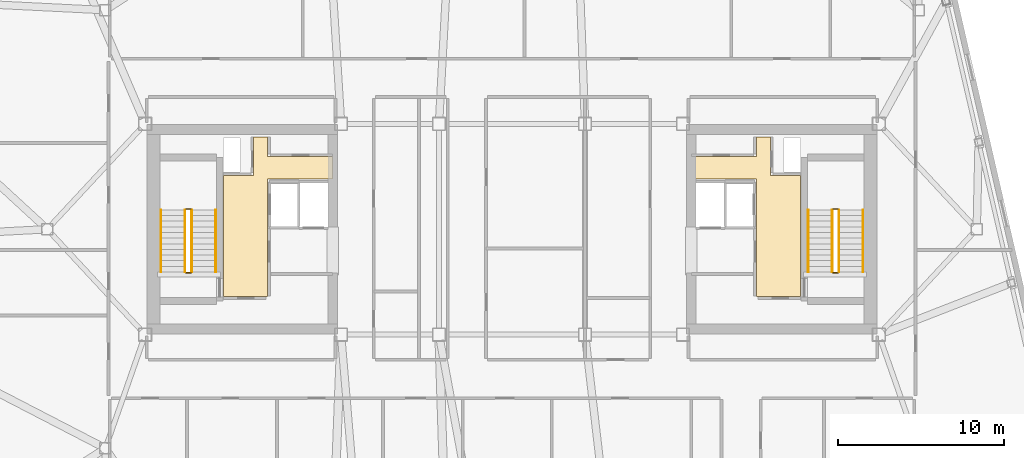
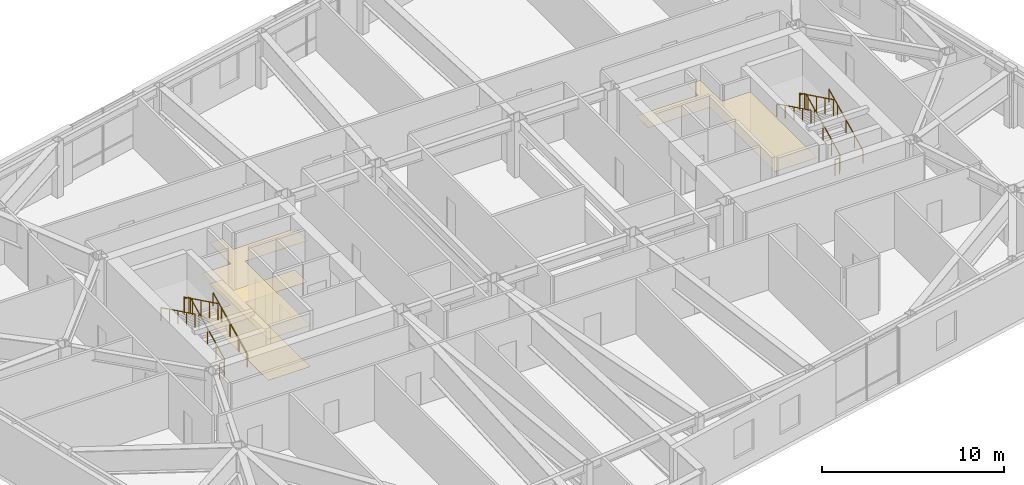
# One storey, part 21 of 21: 12 railings, 3 coverings.
"""IFC4 building model written with IfcOpenShell, lengths in metres."""

from ifc_helpers import new_model, si_unit, direction, frame, origin, origin_2d, place, context, subcontext, project, spatial, polyline, rectangle, outline, extrude, material, layer, layer_set, type_object, element, save


model = new_model("IFC4")

# Units and contexts
model_context = context("Model", 3, precision=1e-05, world=origin(), true_north=direction((0.0, 1.0)))
body_context = subcontext(model_context, "Body", "Model", "MODEL_VIEW")
ifc_project = project(units=[si_unit("LENGTHUNIT", "METRE"), si_unit("AREAUNIT", "SQUARE_METRE"), si_unit("VOLUMEUNIT", "CUBIC_METRE"), si_unit("PLANEANGLEUNIT", "RADIAN"), si_unit("MASSUNIT", "GRAM", prefix="KILO")], contexts=[model_context])

# Site, building, storey
site_placement = place(None, origin())
site = spatial("IfcSite", under=ifc_project, at=site_placement, CompositionType="ELEMENT")
building_placement = place(site_placement, origin())
building = spatial("IfcBuilding", under=site, at=building_placement, Name="Tavrogorsk Clinical Tower", CompositionType="ELEMENT")
storey_placement = place(building_placement, frame((0.0, 0.0, 281.0)))
storey = spatial("IfcBuildingStorey", under=building, at=storey_placement, Name="L65", CompositionType="ELEMENT", Elevation=281.0)

# Coverings
ifc_material_1 = material(Name="Antibacterial micro-perforated aluminium ceiling", Category="aluminium")
ifc_layer_1 = layer(ifc_material_1, 0.014892578125)
ifc_layer_set_1 = layer_set([ifc_layer_1], Name="Antibacterial micro-perforated aluminium ceiling")
covering_type_1 = type_object("IfcCoveringType", Name="ClinicalCeiling_15", PredefinedType="CEILING", material=ifc_layer_set_1)
covering_1_placement = place(storey_placement, frame((0.0, 0.0, 2.75)))
element("IfcCovering", 1, at=covering_1_placement, inside=storey, type_object=covering_type_1, Name="Core West Firefighting Lift Lobby Acoustic Ceiling", PredefinedType="CEILING", context=body_context, shape_type="SweptSolid", body=[
    extrude(outline(polyline([(-14.719970703125, 4.3798828125), (-10.800048828125, 4.3798828125), (-10.800048828125, 3.0400390625), (-14.719970703125, 3.0400390625), (-14.719970703125, -4.06005859375), (-17.3798828125, -4.06005859375), (-17.3798828125, 3.239990234375), (-15.56005859375, 3.239990234375), (-15.56005859375, 5.56005859375), (-14.719970703125, 5.56005859375), (-14.719970703125, 4.3798828125)])), origin(), (0.0, 0.0, 1.0), 0.014892578125),
])
covering_2_placement = place(storey_placement, frame((0.0, 0.0, 2.75)))
element("IfcCovering", 2, at=covering_2_placement, inside=storey, type_object=covering_type_1, Name="Core East Firefighting Lift Lobby Acoustic Ceiling", PredefinedType="CEILING", context=body_context, shape_type="SweptSolid", body=[
    extrude(outline(polyline([(14.719970703125, -4.06005859375), (14.719970703125, 3.0400390625), (10.800048828125, 3.0400390625), (10.800048828125, 4.3798828125), (14.719970703125, 4.3798828125), (14.719970703125, 5.56005859375), (15.56005859375, 5.56005859375), (15.56005859375, 3.239990234375), (17.3798828125, 3.239990234375), (17.3798828125, -4.06005859375), (14.719970703125, -4.06005859375)])), origin(), (0.0, 0.0, 1.0), 0.014892578125),
])
ifc_material_2 = material(Name="Homogeneous medical conductive PVC flooring")
ifc_layer_2 = layer(ifc_material_2, 0.008056640625)
ifc_layer_set_2 = layer_set([ifc_layer_2], Name="Homogeneous medical conductive PVC flooring")
covering_type_2 = type_object("IfcCoveringType", Name="ResilientVinylFloor_8", PredefinedType="FLOORING", material=ifc_layer_set_2)
covering_3_placement = place(storey_placement, origin())
element("IfcCovering", 3, at=covering_3_placement, inside=storey, type_object=covering_type_2, Name="Core West Firefighting Lift Lobby Conductive Vinyl Flooring", PredefinedType="FLOORING", context=body_context, shape_type="SweptSolid", body=[
    extrude(outline(polyline([(-14.719970703125, 4.3798828125), (-10.800048828125, 4.3798828125), (-10.800048828125, 3.0400390625), (-14.719970703125, 3.0400390625), (-14.719970703125, -4.06005859375), (-17.3798828125, -4.06005859375), (-17.3798828125, 3.239990234375), (-15.56005859375, 3.239990234375), (-15.56005859375, 5.56005859375), (-14.719970703125, 5.56005859375), (-14.719970703125, 4.3798828125)])), origin(), (0.0, 0.0, 1.0), 0.008056640625),
])

# Railings
ifc_material_3 = material(Name="Galvanised steel S355 safety stairwell guard", Category="steel")
ifc_layer_3 = layer(ifc_material_3, 0.06005859375)
ifc_layer_set_3 = layer_set([ifc_layer_3], Name="Galvanised steel S355 safety stairwell guard")
railing_type_1 = type_object("IfcRailingType", Name="StairGuard_1150", PredefinedType="GUARDRAIL", material=ifc_layer_set_3)
railing_1_placement = place(storey_placement, frame((-19.300048828125, -2.574951171875, 0.166748046875)))
element("IfcRailing", 4, at=railing_1_placement, inside=storey, type_object=railing_type_1, Name="L65 ST-W stair guard 1", PredefinedType="GUARDRAIL", context=body_context, shape_type="SweptSolid", body=[
    extrude(rectangle(XDim=0.048095703125, YDim=0.048095703125, at=origin_2d()), frame((0.0, 0.0, 1.076171875), z_axis=(0.0, 0.897927990467, 0.440142390523), x_axis=(-1.0, 0.0, 0.0)), (0.0, 0.0, 1.0), 4.1650390625),
    extrude(rectangle(XDim=0.0419921875, YDim=0.0419921875, at=origin_2d()), origin(), (0.0, 0.0, 1.0), 1.052001953125),
    extrude(rectangle(XDim=0.0419921875, YDim=0.0419921875, at=origin_2d()), frame((0.0, 0.93505859375, 0.458251953125)), (0.0, 0.0, 1.0), 1.052001953125),
    extrude(rectangle(XDim=0.0419921875, YDim=0.0419921875, at=origin_2d()), frame((0.0, 1.8701171875, 0.91650390625)), (0.0, 0.0, 1.0), 1.052001953125),
    extrude(rectangle(XDim=0.0419921875, YDim=0.0419921875, at=origin_2d()), frame((0.0, 2.804931640625, 1.375)), (0.0, 0.0, 1.0), 1.052001953125),
    extrude(rectangle(XDim=0.0419921875, YDim=0.0419921875, at=origin_2d()), frame((0.0, 3.739990234375, 1.833251953125)), (0.0, 0.0, 1.0), 1.052001953125),
])
railing_2_placement = place(storey_placement, frame((-19.35009765625, 1.215087890625, 2.0)))
element("IfcRailing", 5, at=railing_2_placement, inside=storey, type_object=railing_type_1, Name="L65 ST-W stair guard 2", PredefinedType="GUARDRAIL", context=body_context, shape_type="SweptSolid", body=[
    extrude(rectangle(XDim=0.048095703125, YDim=0.048095703125, at=origin_2d()), frame((0.0, 0.0, 1.076171875), z_axis=(-1.0, 0.0, 0.0), x_axis=(0.0, -1.0, 0.0)), (0.0, 0.0, 1.0), 0.2998046875),
    extrude(rectangle(XDim=0.0419921875, YDim=0.0419921875, at=origin_2d()), origin(), (0.0, 0.0, 1.0), 1.052001953125),
    extrude(rectangle(XDim=0.0419921875, YDim=0.0419921875, at=origin_2d()), frame((-0.2998046875, 0.0, 0.0)), (0.0, 0.0, 1.0), 1.052001953125),
])
railing_3_placement = place(storey_placement, frame((-19.699951171875, 1.1650390625, 2.166748046875)))
element("IfcRailing", 6, at=railing_3_placement, inside=storey, type_object=railing_type_1, Name="L65 ST-W stair guard 3", PredefinedType="GUARDRAIL", context=body_context, shape_type="SweptSolid", body=[
    extrude(rectangle(XDim=0.048095703125, YDim=0.048095703125, at=origin_2d()), frame((0.0, 0.0, 1.076171875), z_axis=(0.0, -0.897927990467, 0.440142390523), x_axis=(1.0, 0.0, 0.0)), (0.0, 0.0, 1.0), 4.1650390625),
    extrude(rectangle(XDim=0.0419921875, YDim=0.0419921875, at=origin_2d()), origin(), (0.0, 0.0, 1.0), 1.052001953125),
    extrude(rectangle(XDim=0.0419921875, YDim=0.0419921875, at=origin_2d()), frame((0.0, -0.93505859375, 0.458251953125)), (0.0, 0.0, 1.0), 1.052001953125),
    extrude(rectangle(XDim=0.0419921875, YDim=0.0419921875, at=origin_2d()), frame((0.0, -1.8701171875, 0.91650390625)), (0.0, 0.0, 1.0), 1.052001953125),
    extrude(rectangle(XDim=0.0419921875, YDim=0.0419921875, at=origin_2d()), frame((0.0, -2.804931640625, 1.375)), (0.0, 0.0, 1.0), 1.052001953125),
    extrude(rectangle(XDim=0.0419921875, YDim=0.0419921875, at=origin_2d()), frame((0.0, -3.739990234375, 1.833251953125)), (0.0, 0.0, 1.0), 1.052001953125),
])
railing_4_placement = place(storey_placement, frame((-19.35009765625, -2.625, 0.0)))
element("IfcRailing", 7, at=railing_4_placement, inside=storey, type_object=railing_type_1, Name="L65 ST-W stair guard 4", PredefinedType="GUARDRAIL", context=body_context, shape_type="SweptSolid", body=[
    extrude(rectangle(XDim=0.048095703125, YDim=0.048095703125, at=origin_2d()), frame((0.0, 0.0, 1.076171875), z_axis=(-1.0, 0.0, 0.0), x_axis=(0.0, -1.0, 0.0)), (0.0, 0.0, 1.0), 0.2998046875),
    extrude(rectangle(XDim=0.0419921875, YDim=0.0419921875, at=origin_2d()), origin(), (0.0, 0.0, 1.0), 1.052001953125),
    extrude(rectangle(XDim=0.0419921875, YDim=0.0419921875, at=origin_2d()), frame((-0.2998046875, 0.0, 0.0)), (0.0, 0.0, 1.0), 1.052001953125),
])
railing_5_placement = place(storey_placement, frame((19.699951171875, -2.574951171875, 0.166748046875)))
element("IfcRailing", 8, at=railing_5_placement, inside=storey, type_object=railing_type_1, Name="L65 ST-E stair guard 1", PredefinedType="GUARDRAIL", context=body_context, shape_type="SweptSolid", body=[
    extrude(rectangle(XDim=0.048095703125, YDim=0.048095703125, at=origin_2d()), frame((0.0, 0.0, 1.076171875), z_axis=(0.0, 0.897927990467, 0.440142390523), x_axis=(-1.0, 0.0, 0.0)), (0.0, 0.0, 1.0), 4.1650390625),
    extrude(rectangle(XDim=0.0419921875, YDim=0.0419921875, at=origin_2d()), origin(), (0.0, 0.0, 1.0), 1.052001953125),
    extrude(rectangle(XDim=0.0419921875, YDim=0.0419921875, at=origin_2d()), frame((0.0, 0.93505859375, 0.458251953125)), (0.0, 0.0, 1.0), 1.052001953125),
    extrude(rectangle(XDim=0.0419921875, YDim=0.0419921875, at=origin_2d()), frame((0.0, 1.8701171875, 0.91650390625)), (0.0, 0.0, 1.0), 1.052001953125),
    extrude(rectangle(XDim=0.0419921875, YDim=0.0419921875, at=origin_2d()), frame((0.0, 2.804931640625, 1.375)), (0.0, 0.0, 1.0), 1.052001953125),
    extrude(rectangle(XDim=0.0419921875, YDim=0.0419921875, at=origin_2d()), frame((0.0, 3.739990234375, 1.833251953125)), (0.0, 0.0, 1.0), 1.052001953125),
])
railing_6_placement = place(storey_placement, frame((19.64990234375, 1.215087890625, 2.0)))
element("IfcRailing", 9, at=railing_6_placement, inside=storey, type_object=railing_type_1, Name="L65 ST-E stair guard 2", PredefinedType="GUARDRAIL", context=body_context, shape_type="SweptSolid", body=[
    extrude(rectangle(XDim=0.048095703125, YDim=0.048095703125, at=origin_2d()), frame((0.0, 0.0, 1.076171875), z_axis=(-1.0, 0.0, 0.0), x_axis=(0.0, -1.0, 0.0)), (0.0, 0.0, 1.0), 0.2998046875),
    extrude(rectangle(XDim=0.0419921875, YDim=0.0419921875, at=origin_2d()), origin(), (0.0, 0.0, 1.0), 1.052001953125),
    extrude(rectangle(XDim=0.0419921875, YDim=0.0419921875, at=origin_2d()), frame((-0.2998046875, 0.0, 0.0)), (0.0, 0.0, 1.0), 1.052001953125),
])
railing_7_placement = place(storey_placement, frame((19.300048828125, 1.1650390625, 2.166748046875)))
element("IfcRailing", 10, at=railing_7_placement, inside=storey, type_object=railing_type_1, Name="L65 ST-E stair guard 3", PredefinedType="GUARDRAIL", context=body_context, shape_type="SweptSolid", body=[
    extrude(rectangle(XDim=0.048095703125, YDim=0.048095703125, at=origin_2d()), frame((0.0, 0.0, 1.076171875), z_axis=(0.0, -0.897927990467, 0.440142390523), x_axis=(1.0, 0.0, 0.0)), (0.0, 0.0, 1.0), 4.1650390625),
    extrude(rectangle(XDim=0.0419921875, YDim=0.0419921875, at=origin_2d()), origin(), (0.0, 0.0, 1.0), 1.052001953125),
    extrude(rectangle(XDim=0.0419921875, YDim=0.0419921875, at=origin_2d()), frame((0.0, -0.93505859375, 0.458251953125)), (0.0, 0.0, 1.0), 1.052001953125),
    extrude(rectangle(XDim=0.0419921875, YDim=0.0419921875, at=origin_2d()), frame((0.0, -1.8701171875, 0.91650390625)), (0.0, 0.0, 1.0), 1.052001953125),
    extrude(rectangle(XDim=0.0419921875, YDim=0.0419921875, at=origin_2d()), frame((0.0, -2.804931640625, 1.375)), (0.0, 0.0, 1.0), 1.052001953125),
    extrude(rectangle(XDim=0.0419921875, YDim=0.0419921875, at=origin_2d()), frame((0.0, -3.739990234375, 1.833251953125)), (0.0, 0.0, 1.0), 1.052001953125),
])
railing_8_placement = place(storey_placement, frame((19.64990234375, -2.625, 0.0)))
element("IfcRailing", 11, at=railing_8_placement, inside=storey, type_object=railing_type_1, Name="L65 ST-E stair guard 4", PredefinedType="GUARDRAIL", context=body_context, shape_type="SweptSolid", body=[
    extrude(rectangle(XDim=0.048095703125, YDim=0.048095703125, at=origin_2d()), frame((0.0, 0.0, 1.076171875), z_axis=(-1.0, 0.0, 0.0), x_axis=(0.0, -1.0, 0.0)), (0.0, 0.0, 1.0), 0.2998046875),
    extrude(rectangle(XDim=0.0419921875, YDim=0.0419921875, at=origin_2d()), origin(), (0.0, 0.0, 1.0), 1.052001953125),
    extrude(rectangle(XDim=0.0419921875, YDim=0.0419921875, at=origin_2d()), frame((-0.2998046875, 0.0, 0.0)), (0.0, 0.0, 1.0), 1.052001953125),
])
ifc_material_4 = material(Name="Stainless steel AISI 304 tubular handrail", Category="steel")
ifc_layer_4 = layer(ifc_material_4, 0.050048828125)
ifc_layer_set_4 = layer_set([ifc_layer_4], Name="Stainless steel AISI 304 tubular handrail")
railing_type_2 = type_object("IfcRailingType", Name="StairHandrail_920", PredefinedType="HANDRAIL", material=ifc_layer_set_4)
railing_9_placement = place(storey_placement, frame((-17.85009765625, -2.574951171875, 0.166748046875)))
element("IfcRailing", 12, at=railing_9_placement, inside=storey, type_object=railing_type_2, Name="L65 ST-W stair handrail 1", PredefinedType="HANDRAIL", context=body_context, shape_type="SweptSolid", body=[
    extrude(rectangle(XDim=0.048095703125, YDim=0.048095703125, at=origin_2d()), frame((0.0, 0.0, 0.8759765625), z_axis=(0.0, 0.897927990467, 0.440142390523), x_axis=(-1.0, 0.0, 0.0)), (0.0, 0.0, 1.0), 4.1650390625),
    extrude(rectangle(XDim=0.0419921875, YDim=0.0419921875, at=origin_2d()), origin(), (0.0, 0.0, 1.0), 0.851806640625),
    extrude(rectangle(XDim=0.0419921875, YDim=0.0419921875, at=origin_2d()), frame((0.0, 0.93505859375, 0.458251953125)), (0.0, 0.0, 1.0), 0.851806640625),
    extrude(rectangle(XDim=0.0419921875, YDim=0.0419921875, at=origin_2d()), frame((0.0, 1.8701171875, 0.91650390625)), (0.0, 0.0, 1.0), 0.851806640625),
    extrude(rectangle(XDim=0.0419921875, YDim=0.0419921875, at=origin_2d()), frame((0.0, 2.804931640625, 1.375)), (0.0, 0.0, 1.0), 0.851806640625),
    extrude(rectangle(XDim=0.0419921875, YDim=0.0419921875, at=origin_2d()), frame((0.0, 3.739990234375, 1.833251953125)), (0.0, 0.0, 1.0), 0.851806640625),
])
railing_10_placement = place(storey_placement, frame((-21.14990234375, 1.1650390625, 2.166748046875)))
element("IfcRailing", 13, at=railing_10_placement, inside=storey, type_object=railing_type_2, Name="L65 ST-W stair handrail 2", PredefinedType="HANDRAIL", context=body_context, shape_type="SweptSolid", body=[
    extrude(rectangle(XDim=0.048095703125, YDim=0.048095703125, at=origin_2d()), frame((0.0, 0.0, 0.8759765625), z_axis=(0.0, -0.897927990467, 0.440142390523), x_axis=(1.0, 0.0, 0.0)), (0.0, 0.0, 1.0), 4.1650390625),
    extrude(rectangle(XDim=0.0419921875, YDim=0.0419921875, at=origin_2d()), origin(), (0.0, 0.0, 1.0), 0.851806640625),
    extrude(rectangle(XDim=0.0419921875, YDim=0.0419921875, at=origin_2d()), frame((0.0, -0.93505859375, 0.458251953125)), (0.0, 0.0, 1.0), 0.851806640625),
    extrude(rectangle(XDim=0.0419921875, YDim=0.0419921875, at=origin_2d()), frame((0.0, -1.8701171875, 0.91650390625)), (0.0, 0.0, 1.0), 0.851806640625),
    extrude(rectangle(XDim=0.0419921875, YDim=0.0419921875, at=origin_2d()), frame((0.0, -2.804931640625, 1.375)), (0.0, 0.0, 1.0), 0.851806640625),
    extrude(rectangle(XDim=0.0419921875, YDim=0.0419921875, at=origin_2d()), frame((0.0, -3.739990234375, 1.833251953125)), (0.0, 0.0, 1.0), 0.851806640625),
])
railing_11_placement = place(storey_placement, frame((21.14990234375, -2.574951171875, 0.166748046875)))
element("IfcRailing", 14, at=railing_11_placement, inside=storey, type_object=railing_type_2, Name="L65 ST-E stair handrail 1", PredefinedType="HANDRAIL", context=body_context, shape_type="SweptSolid", body=[
    extrude(rectangle(XDim=0.048095703125, YDim=0.048095703125, at=origin_2d()), frame((0.0, 0.0, 0.8759765625), z_axis=(0.0, 0.897927990467, 0.440142390523), x_axis=(-1.0, 0.0, 0.0)), (0.0, 0.0, 1.0), 4.1650390625),
    extrude(rectangle(XDim=0.0419921875, YDim=0.0419921875, at=origin_2d()), origin(), (0.0, 0.0, 1.0), 0.851806640625),
    extrude(rectangle(XDim=0.0419921875, YDim=0.0419921875, at=origin_2d()), frame((0.0, 0.93505859375, 0.458251953125)), (0.0, 0.0, 1.0), 0.851806640625),
    extrude(rectangle(XDim=0.0419921875, YDim=0.0419921875, at=origin_2d()), frame((0.0, 1.8701171875, 0.91650390625)), (0.0, 0.0, 1.0), 0.851806640625),
    extrude(rectangle(XDim=0.0419921875, YDim=0.0419921875, at=origin_2d()), frame((0.0, 2.804931640625, 1.375)), (0.0, 0.0, 1.0), 0.851806640625),
    extrude(rectangle(XDim=0.0419921875, YDim=0.0419921875, at=origin_2d()), frame((0.0, 3.739990234375, 1.833251953125)), (0.0, 0.0, 1.0), 0.851806640625),
])
railing_12_placement = place(storey_placement, frame((17.85009765625, 1.1650390625, 2.166748046875)))
element("IfcRailing", 15, at=railing_12_placement, inside=storey, type_object=railing_type_2, Name="L65 ST-E stair handrail 2", PredefinedType="HANDRAIL", context=body_context, shape_type="SweptSolid", body=[
    extrude(rectangle(XDim=0.048095703125, YDim=0.048095703125, at=origin_2d()), frame((0.0, 0.0, 0.8759765625), z_axis=(0.0, -0.897927990467, 0.440142390523), x_axis=(1.0, 0.0, 0.0)), (0.0, 0.0, 1.0), 4.1650390625),
    extrude(rectangle(XDim=0.0419921875, YDim=0.0419921875, at=origin_2d()), origin(), (0.0, 0.0, 1.0), 0.851806640625),
    extrude(rectangle(XDim=0.0419921875, YDim=0.0419921875, at=origin_2d()), frame((0.0, -0.93505859375, 0.458251953125)), (0.0, 0.0, 1.0), 0.851806640625),
    extrude(rectangle(XDim=0.0419921875, YDim=0.0419921875, at=origin_2d()), frame((0.0, -1.8701171875, 0.91650390625)), (0.0, 0.0, 1.0), 0.851806640625),
    extrude(rectangle(XDim=0.0419921875, YDim=0.0419921875, at=origin_2d()), frame((0.0, -2.804931640625, 1.375)), (0.0, 0.0, 1.0), 0.851806640625),
    extrude(rectangle(XDim=0.0419921875, YDim=0.0419921875, at=origin_2d()), frame((0.0, -3.739990234375, 1.833251953125)), (0.0, 0.0, 1.0), 0.851806640625),
])

save(model, "model.ifc")
